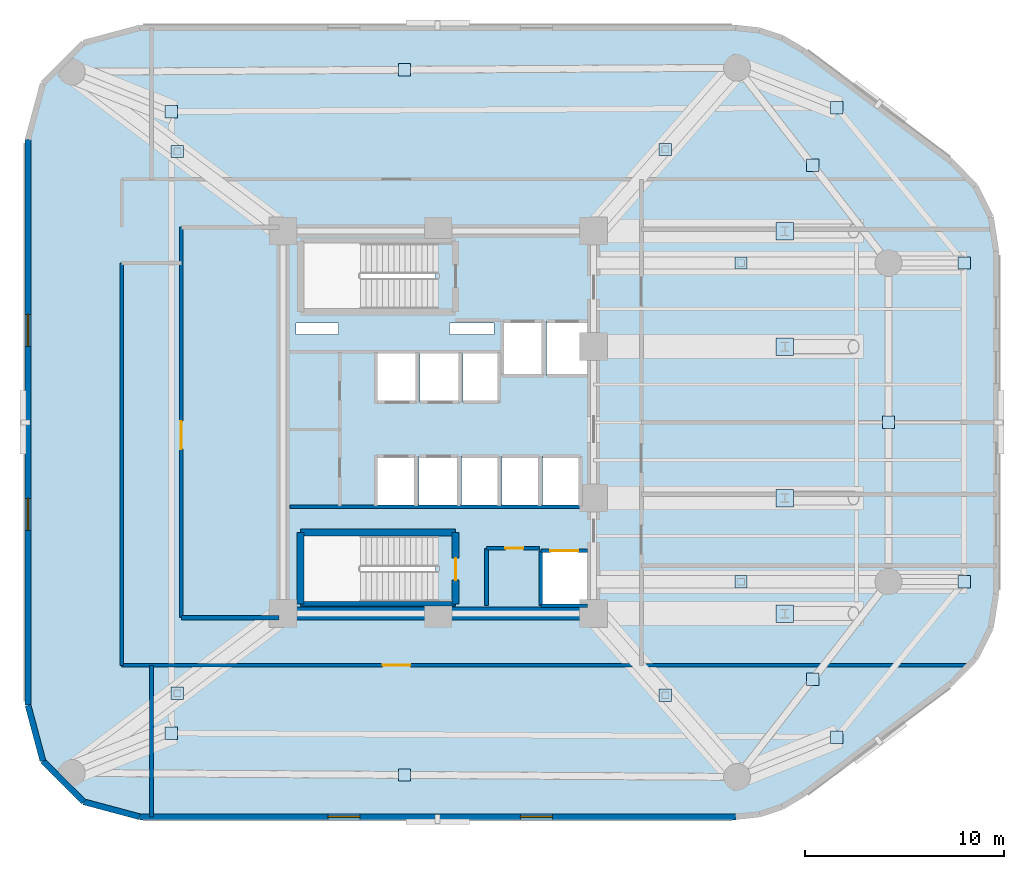
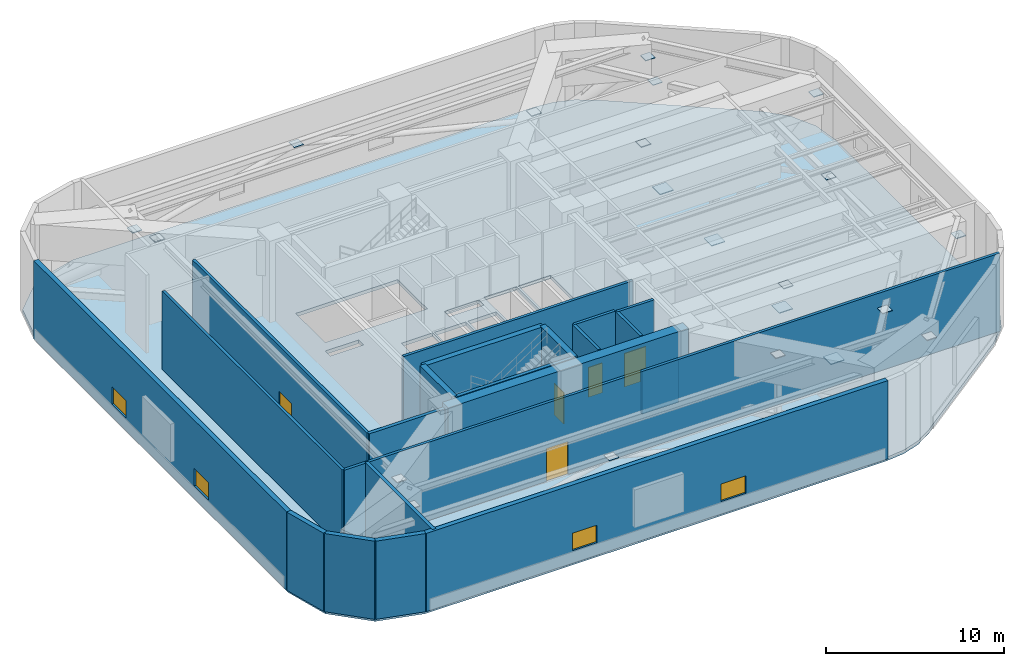
# One storey, part 5 of 10: 21 plates, 21 walls, 5 doors, 4 windows, 1 slab, 9 openings.
"""IFC4 building model written with IfcOpenShell, lengths in metres."""

from ifc_helpers import new_model, si_unit, direction, frame, frame_2d, origin, origin_2d, place, context, subcontext, project, spatial, polyline, rectangle, outline, extrude, material, layer, layer_set, type_object, element, fill, save


model = new_model("IFC4")

# Units and contexts
model_context = context("Model", 3, precision=1e-05, world=origin(), true_north=direction((0.0, 1.0)))
body_context = subcontext(model_context, "Body", "Model", "MODEL_VIEW")
ifc_project = project(units=[si_unit("LENGTHUNIT", "METRE"), si_unit("AREAUNIT", "SQUARE_METRE"), si_unit("VOLUMEUNIT", "CUBIC_METRE"), si_unit("PLANEANGLEUNIT", "RADIAN"), si_unit("MASSUNIT", "GRAM", prefix="KILO")], contexts=[model_context])

# Site, building, storey
site_placement = place(None, origin())
site = spatial("IfcSite", under=ifc_project, at=site_placement, CompositionType="ELEMENT")
building_placement = place(site_placement, origin())
building = spatial("IfcBuilding", under=site, at=building_placement, Name="An Khanh Terracotta Commons", CompositionType="ELEMENT")
storey_placement = place(building_placement, frame((0.0, 0.0, 133.10009765625)))
storey = spatial("IfcBuildingStorey", under=building, at=storey_placement, Name="L35", CompositionType="ELEMENT", Elevation=133.10009765625)

# Plates
ifc_material_1 = material(Name="Steel S460ML", Category="steel")
ifc_layer_1 = layer(ifc_material_1, 0.031982421875, Name="Steel S460ML")
ifc_layer_set_1 = layer_set([ifc_layer_1], Name="Steel S460ML")
plate_type_1 = type_object("IfcPlateType", Name="PLATE-GUSSET-32", PredefinedType="USERDEFINED", material=ifc_layer_set_1)
for number, where, z_axis, x_axis, name in (
    (1, (27.699951171875, 6.300048828125, 4.59375), (0.0, 0.0, 1.0), (1.0, 0.0, 0.0), "L35 Belt-Truss Apex Gusset Plate 1"),
    (2, (48.199951171875, 11.10009765625, 4.59375), (0.0, 0.0, 1.0), (1.0, 0.0, 0.0), "L35 Belt-Truss Apex Gusset Plate 2"),
    (3, (52.0, 24.0, 4.59375), (0.0, 0.0, 1.0), (1.0, 0.0, 0.0), "L35 Belt-Truss Apex Gusset Plate 3"),
    (4, (48.199951171875, 36.89990234375, 4.59375), (0.0, 0.0, 1.0), (1.0, 0.0, 0.0), "L35 Belt-Truss Apex Gusset Plate 4"),
    (5, (27.699951171875, 41.699951171875, 4.59375), (0.0, 0.0, 1.0), (1.0, 0.0, 0.0), "L35 Belt-Truss Apex Gusset Plate 5"),
):
    element("IfcPlate", number, at=place(storey_placement, frame(where, z_axis=z_axis, x_axis=x_axis)), inside=storey, type_object=plate_type_1, Name=name, ObjectType="FLANGE_PLATE", PredefinedType="USERDEFINED", context=body_context, shape_type="SweptSolid", body=[
        extrude(rectangle(XDim=0.6201171875, YDim=0.6201171875, at=origin_2d()), origin(), (0.0, 0.0, 1.0), 0.031982421875),
    ])
ifc_layer_2 = layer(ifc_material_1, 0.0400390625, Name="Steel S460ML")
ifc_layer_set_2 = layer_set([ifc_layer_2], Name="Steel S460ML")
plate_type_2 = type_object("IfcPlateType", Name="PLATE-GUSSET-40", PredefinedType="USERDEFINED", material=ifc_layer_set_2)
for number, where, z_axis, x_axis, name in (
    (6, (16.300048828125, 10.39990234375, 4.58984375), (0.0, 0.0, 1.0), (1.0, 0.0, 0.0), "L35 Outrigger Tie Apex Flange Plate 1"),
    (7, (40.800048828125, 10.300048828125, 4.58984375), (0.0, 0.0, 1.0), (1.0, 0.0, 0.0), "L35 Outrigger Tie Apex Flange Plate 2"),
    (8, (44.60009765625, 16.0, 4.58984375), (0.0, 0.0, 1.0), (1.0, 0.0, 0.0), "L35 Outrigger Tie Apex Flange Plate 3"),
    (9, (44.60009765625, 32.0, 4.58984375), (0.0, 0.0, 1.0), (1.0, 0.0, 0.0), "L35 Outrigger Tie Apex Flange Plate 4"),
    (10, (40.800048828125, 37.699951171875, 4.58984375), (0.0, 0.0, 1.0), (1.0, 0.0, 0.0), "L35 Outrigger Tie Apex Flange Plate 5"),
    (11, (16.300048828125, 37.60009765625, 4.58984375), (0.0, 0.0, 1.0), (1.0, 0.0, 0.0), "L35 Outrigger Tie Apex Flange Plate 6"),
):
    element("IfcPlate", number, at=place(storey_placement, frame(where, z_axis=z_axis, x_axis=x_axis)), inside=storey, type_object=plate_type_2, Name=name, ObjectType="FLANGE_PLATE", PredefinedType="USERDEFINED", context=body_context, shape_type="SweptSolid", body=[
        extrude(rectangle(XDim=0.6201171875, YDim=0.6201171875, at=origin_2d()), origin(), (0.0, 0.0, 1.0), 0.0400390625),
    ])
ifc_layer_3 = layer(ifc_material_1, 0.050048828125, Name="Steel S460ML")
ifc_layer_set_3 = layer_set([ifc_layer_3], Name="Steel S460ML")
plate_type_3 = type_object("IfcPlateType", Name="PLATE-GUSSET-50", PredefinedType="USERDEFINED", material=ifc_layer_set_3)
for number, where, z_axis, x_axis, name in (
    (12, (16.0, 8.39990234375, 4.0849609375), (0.0, 0.0, 1.0), (1.0, 0.0, 0.0), "L35 Outrigger Kink Node End-Cap Plate 1"),
    (13, (49.39990234375, 8.199951171875, 4.0849609375), (0.0, 0.0, 1.0), (1.0, 0.0, 0.0), "L35 Outrigger Kink Node End-Cap Plate 2"),
    (14, (55.800048828125, 16.0, 4.0849609375), (0.0, 0.0, 1.0), (1.0, 0.0, 0.0), "L35 Outrigger Kink Node End-Cap Plate 3"),
    (15, (55.800048828125, 32.0, 4.0849609375), (0.0, 0.0, 1.0), (1.0, 0.0, 0.0), "L35 Outrigger Kink Node End-Cap Plate 4"),
    (16, (49.39990234375, 39.800048828125, 4.0849609375), (0.0, 0.0, 1.0), (1.0, 0.0, 0.0), "L35 Outrigger Kink Node End-Cap Plate 5"),
    (17, (16.0, 39.60009765625, 4.0849609375), (0.0, 0.0, 1.0), (1.0, 0.0, 0.0), "L35 Outrigger Kink Node End-Cap Plate 6"),
):
    element("IfcPlate", number, at=place(storey_placement, frame(where, z_axis=z_axis, x_axis=x_axis)), inside=storey, type_object=plate_type_3, Name=name, ObjectType="FLANGE_PLATE", PredefinedType="USERDEFINED", context=body_context, shape_type="SweptSolid", body=[
        extrude(rectangle(XDim=0.6201171875, YDim=0.6201171875, at=origin_2d()), origin(), (0.0, 0.0, 1.0), 0.050048828125),
    ])
for number, where, z_axis, x_axis, name in (
    (18, (46.800048828125, 14.39990234375, -0.294921875), (0.0, 0.0, 1.0), (1.0, 0.0, 0.0), "L35 Interior Column Raking Strut Base End-Cap Plate 1"),
    (19, (46.800048828125, 20.199951171875, -0.294921875), (0.0, 0.0, 1.0), (1.0, 0.0, 0.0), "L35 Interior Column Raking Strut Base End-Cap Plate 2"),
    (20, (46.800048828125, 27.800048828125, -0.294921875), (0.0, 0.0, 1.0), (1.0, 0.0, 0.0), "L35 Interior Column Raking Strut Base End-Cap Plate 3"),
    (21, (46.800048828125, 33.60009765625, -0.294921875), (0.0, 0.0, 1.0), (1.0, 0.0, 0.0), "L35 Interior Column Raking Strut Base End-Cap Plate 4"),
):
    element("IfcPlate", number, at=place(storey_placement, frame(where, z_axis=z_axis, x_axis=x_axis)), inside=storey, type_object=plate_type_3, Name=name, ObjectType="FLANGE_PLATE", PredefinedType="USERDEFINED", context=body_context, shape_type="SweptSolid", body=[
        extrude(rectangle(XDim=0.8798828125, YDim=0.8798828125, at=origin_2d()), origin(), (0.0, 0.0, 1.0), 0.050048828125),
    ])

# Slab
ifc_material_2 = material(Name="Concrete C40/50", Category="concrete")
ifc_layer_4 = layer(ifc_material_2, 0.260009765625, Name="Concrete C40/50")
ifc_layer_set_4 = layer_set([ifc_layer_4], Name="Concrete C40/50")
slab_type = type_object("IfcSlabType", Name="SLAB-REF-260", PredefinedType="FLOOR", material=ifc_layer_set_4)
slab_placement = place(storey_placement, frame((0.0, 0.0, -0.239990234375)))
element("IfcSlab", 22, at=slab_placement, inside=storey, type_object=slab_type, Name="L35 Structural Floor Slab", PredefinedType="FLOOR", context=body_context, shape_type="SweptSolid", body=[
    extrude(outline(polyline([(8.800048828125, 9.800048828125), (9.550048828125, 7.0), (11.60009765625, 4.949951171875), (14.39990234375, 4.199951171875), (44.3330078125, 4.199951171875), (45.52490234375, 4.327880859375), (46.6630859375, 4.70703125), (47.693115234375, 5.320068359375), (55.159912109375, 10.919921875), (56.364013671875, 12.154052734375), (57.135009765625, 13.696044921875), (57.39990234375, 15.39990234375), (57.39990234375, 32.60009765625), (57.135009765625, 34.303955078125), (56.364013671875, 35.845947265625), (55.159912109375, 37.080078125), (47.693115234375, 42.679931640625), (46.6630859375, 43.29296875), (45.52490234375, 43.672119140625), (44.3330078125, 43.800048828125), (14.39990234375, 43.800048828125), (11.60009765625, 43.050048828125), (9.550048828125, 41.0), (8.800048828125, 38.199951171875), (8.800048828125, 9.800048828125)]), holes=[polyline([(22.64990234375, 29.699951171875), (29.27001953125, 29.699951171875), (29.27001953125, 33.0), (22.64990234375, 33.0), (22.64990234375, 29.699951171875)]), polyline([(22.64990234375, 15.0), (29.27001953125, 15.0), (29.27001953125, 18.300048828125), (22.64990234375, 18.300048828125), (22.64990234375, 15.0)]), polyline([(32.60009765625, 26.35009765625), (34.679931640625, 26.35009765625), (34.679931640625, 29.080078125), (32.60009765625, 29.080078125), (32.60009765625, 26.35009765625)]), polyline([(34.820068359375, 26.35009765625), (36.89990234375, 26.35009765625), (36.89990234375, 29.080078125), (34.820068359375, 29.080078125), (34.820068359375, 26.35009765625)]), polyline([(34.550048828125, 14.800048828125), (36.89990234375, 14.800048828125), (36.89990234375, 17.550048828125), (34.550048828125, 17.550048828125), (34.550048828125, 14.800048828125)]), polyline([(26.320068359375, 25.0), (28.340087890625, 25.0), (28.340087890625, 27.5), (26.320068359375, 27.5), (26.320068359375, 25.0)]), polyline([(28.47998046875, 25.0), (30.5, 25.0), (30.5, 27.5), (28.47998046875, 27.5), (28.47998046875, 25.0)]), polyline([(26.280029296875, 19.800048828125), (28.280029296875, 19.800048828125), (28.280029296875, 22.300048828125), (26.280029296875, 22.300048828125), (26.280029296875, 19.800048828125)]), polyline([(28.419921875, 19.800048828125), (30.419921875, 19.800048828125), (30.419921875, 22.300048828125), (28.419921875, 22.300048828125), (28.419921875, 19.800048828125)]), polyline([(30.639892578125, 25.0), (32.4599609375, 25.0), (32.4599609375, 27.5), (30.639892578125, 27.5), (30.639892578125, 25.0)]), polyline([(30.56005859375, 19.800048828125), (32.4599609375, 19.800048828125), (32.4599609375, 22.300048828125), (30.56005859375, 22.300048828125), (30.56005859375, 19.800048828125)]), polyline([(32.60009765625, 19.800048828125), (34.5, 19.800048828125), (34.5, 22.300048828125), (32.60009765625, 22.300048828125), (32.60009765625, 19.800048828125)]), polyline([(34.639892578125, 19.800048828125), (36.5400390625, 19.800048828125), (36.5400390625, 22.300048828125), (34.639892578125, 22.300048828125), (34.639892578125, 19.800048828125)]), polyline([(22.25, 28.419921875), (24.39990234375, 28.419921875), (24.39990234375, 28.97998046875), (22.25, 28.97998046875), (22.25, 28.419921875)]), polyline([(29.949951171875, 28.419921875), (32.199951171875, 28.419921875), (32.199951171875, 28.97998046875), (29.949951171875, 28.97998046875), (29.949951171875, 28.419921875)])]), origin(), (0.0, 0.0, 1.0), 0.239990234375),
])

# Walls
ifc_material_3 = material(Name="Concrete C60/75", Category="concrete")
ifc_layer_5 = layer(ifc_material_3, 0.64990234375, Name="Concrete C60/75")
ifc_layer_set_5 = layer_set([ifc_layer_5], Name="Concrete C60/75")
wall_type_1 = type_object("IfcWallType", Name="WALL-CORE-650", PredefinedType="SHEAR", material=ifc_layer_set_5)
wall_1_placement = place(storey_placement, frame((37.199951171875, 14.39990234375, 0.0), z_axis=(0.0, 0.0, 1.0), x_axis=(-1.0, 0.0, 0.0)))
element("IfcWall", 23, at=wall_1_placement, inside=storey, type_object=wall_type_1, Name="L35 Core Wall CWALL-L35-S", PredefinedType="SHEAR", context=body_context, shape_type="SweptSolid", body=[
    extrude(rectangle(XDim=15.599853515625, YDim=0.64990234375, at=frame_2d((7.7998046875, 0.0))), origin(), (0.0, 0.0, 1.0), 5.35986328125),
])
ifc_material_4 = material(Name="Fire-Rated Gypsum Board on Steel Stud", Category="steel")
ifc_layer_6 = layer(ifc_material_4, 0.179931640625, Name="Fire-Rated Gypsum Board on Steel Stud")
ifc_layer_set_6 = layer_set([ifc_layer_6], Name="Fire-Rated Gypsum Board on Steel Stud")
wall_type_2 = type_object("IfcWallType", Name="WALL-CORR-180", PredefinedType="PARTITIONING", material=ifc_layer_set_6)
wall_2_placement = place(storey_placement, frame((21.949951171875, 19.760009765625, 0.0), z_axis=(0.0, 0.0, 1.0), x_axis=(1.0, 0.0, 0.0)))
element("IfcWall", 24, at=wall_2_placement, inside=storey, type_object=wall_type_2, Name="L35 Core Wall SVW-L35-N", PredefinedType="PARTITIONING", context=body_context, shape_type="SweptSolid", body=[
    extrude(rectangle(XDim=14.8701171875, YDim=0.179931640625, at=frame_2d((7.43505859375, 0.0))), origin(), (0.0, 0.0, 1.0), 5.35986328125),
])

# Wall, opening, door
wall_3_placement = place(storey_placement, frame((31.820068359375, 17.679931640625, 0.0), z_axis=(0.0, 0.0, 1.0), x_axis=(1.0, 0.0, 0.0)))
wall_3 = element("IfcWall", 25, at=wall_3_placement, inside=storey, type_object=wall_type_2, Name="L35 Core Wall SSVCW-L35-N", PredefinedType="PARTITIONING", context=body_context, shape_type="SweptSolid", body=[
    extrude(rectangle(XDim=2.659912109375, YDim=0.179931640625, at=frame_2d((1.330078125, 0.0))), origin(), (0.0, 0.0, 1.0), 5.35986328125),
])
opening_1_placement = place(wall_3_placement, frame((0.949951171875, 0.0, 0.0)))
opening_1 = element("IfcOpeningElement", 26, at=opening_1_placement, cuts=wall_3, Name="Opening D-SV", PredefinedType="OPENING", context=body_context, shape_type="SweptSolid", body=[
    extrude(rectangle(XDim=0.89990234375, YDim=2.050048828125, at=frame_2d((0.449951171875, 1.02490234375))), frame((0.0, 0.099853515625, 0.0), z_axis=(0.0, -1.0, 0.0), x_axis=(1.0, 0.0, 0.0)), (0.0, 0.0, 1.0), 0.199951171875),
])
ifc_material_5 = material(Name="Fire-Rated Powder-Coated Steel Door", Category="steel")
door_type_1 = type_object("IfcDoorType", Name="DOOR-SERV-900", OperationType="NOTDEFINED", PredefinedType="DOOR", material=ifc_material_5)
door_1_placement = place(opening_1_placement, origin())
door_1 = element("IfcDoor", 27, at=door_1_placement, inside=storey, type_object=door_type_1, Name="L35 Mechanical BMS Switchroom Door", OperationType="SINGLE_SWING_RIGHT", OverallHeight=2.050048828125, OverallWidth=0.89990234375, PredefinedType="DOOR", context=body_context, shape_type="SweptSolid", body=[
    extrude(rectangle(XDim=0.89990234375, YDim=2.050048828125, at=frame_2d((0.449951171875, 1.02490234375))), frame((0.0, 0.02490234375, 0.0), z_axis=(0.0, -1.0, 0.0), x_axis=(1.0, 0.0, 0.0)), (0.0, 0.0, 1.0), 0.050048828125),
])
fill(opening_1, door_1)

# Wall
wall_4_placement = place(storey_placement, frame((31.820068359375, 14.800048828125, 0.0), z_axis=(0.0, 0.0, 1.0), x_axis=(0.0, 1.0, 0.0)))
element("IfcWall", 28, at=wall_4_placement, inside=storey, type_object=wall_type_2, Name="L35 Core Wall SSVCW-L35-W", PredefinedType="PARTITIONING", context=body_context, shape_type="SweptSolid", body=[
    extrude(rectangle(XDim=2.8798828125, YDim=0.179931640625, at=frame_2d((1.43994140625, 0.0))), origin(), (0.0, 0.0, 1.0), 5.35986328125),
])

# Wall, opening, door
wall_5_placement = place(storey_placement, frame((34.550048828125, 17.550048828125, 0.0), z_axis=(0.0, 0.0, 1.0), x_axis=(1.0, 0.0, 0.0)))
wall_5 = element("IfcWall", 29, at=wall_5_placement, inside=storey, type_object=wall_type_2, Name="L35 Core Wall LSH-L35-SVL-01-N", PredefinedType="PARTITIONING", context=body_context, shape_type="SweptSolid", body=[
    extrude(rectangle(XDim=2.349853515625, YDim=0.179931640625, at=frame_2d((1.1748046875, 0.0))), origin(), (0.0, 0.0, 1.0), 5.35986328125),
])
opening_2_placement = place(wall_5_placement, frame((0.47509765625, 0.0, 0.0)))
opening_2 = element("IfcOpeningElement", 30, at=opening_2_placement, cuts=wall_5, Name="Opening LD-SVL-01-L35", PredefinedType="OPENING", context=body_context, shape_type="SweptSolid", body=[
    extrude(rectangle(XDim=1.39990234375, YDim=2.300048828125, at=frame_2d((0.699951171875, 1.14990234375))), frame((0.0, 0.099853515625, 0.0), z_axis=(0.0, -1.0, 0.0), x_axis=(1.0, 0.0, 0.0)), (0.0, 0.0, 1.0), 0.199951171875),
])
ifc_material_6 = material(Name="Heavy-Duty Stainless Steel Goods Landing Door", Category="steel")
door_type_2 = type_object("IfcDoorType", Name="DOOR-LD-SVL-1400", OperationType="NOTDEFINED", PredefinedType="DOOR", material=ifc_material_6)
door_2_placement = place(opening_2_placement, origin())
door_2 = element("IfcDoor", 31, at=door_2_placement, inside=storey, type_object=door_type_2, Name="L35 Lift SVL-01 Sliding Landing Door", OperationType="DOUBLE_DOOR_SLIDING", OverallHeight=2.300048828125, OverallWidth=1.39990234375, PredefinedType="DOOR", context=body_context, shape_type="SweptSolid", body=[
    extrude(rectangle(XDim=1.39990234375, YDim=2.300048828125, at=frame_2d((0.699951171875, 1.14990234375))), frame((0.0, 0.02490234375, 0.0), z_axis=(0.0, -1.0, 0.0), x_axis=(1.0, 0.0, 0.0)), (0.0, 0.0, 1.0), 0.050048828125),
])
fill(opening_2, door_2)

# Walls
wall_6_placement = place(storey_placement, frame((36.89990234375, 14.800048828125, 0.0), z_axis=(0.0, 0.0, 1.0), x_axis=(-1.0, 0.0, 0.0)))
element("IfcWall", 32, at=wall_6_placement, inside=storey, type_object=wall_type_2, Name="L35 Core Wall LSH-L35-SVL-01-S", PredefinedType="PARTITIONING", context=body_context, shape_type="SweptSolid", body=[
    extrude(rectangle(XDim=2.349853515625, YDim=0.179931640625, at=frame_2d((1.1748046875, 0.0))), origin(), (0.0, 0.0, 1.0), 2.94189453125),
])
wall_7_placement = place(storey_placement, frame((34.550048828125, 17.550048828125, 0.0), z_axis=(0.0, 0.0, 1.0), x_axis=(0.0, -1.0, 0.0)))
element("IfcWall", 33, at=wall_7_placement, inside=storey, type_object=wall_type_2, Name="L35 Core Wall LSH-L35-SVL-01-W", PredefinedType="PARTITIONING", context=body_context, shape_type="SweptSolid", body=[
    extrude(rectangle(XDim=2.75, YDim=0.179931640625, at=frame_2d((1.375, 0.0))), origin(), (0.0, 0.0, 1.0), 5.35986328125),
])

# Wall, opening, door
wall_8_placement = place(storey_placement, frame((13.5, 11.800048828125, 0.0), z_axis=(0.0, 0.0, 1.0), x_axis=(1.0, 0.0, 0.0)))
wall_8 = element("IfcWall", 34, at=wall_8_placement, inside=storey, type_object=wall_type_2, Name="L35 Interior Partition IW-L35-E001", PredefinedType="PARTITIONING", context=body_context, shape_type="SweptSolid", body=[
    extrude(rectangle(XDim=42.51904296875, YDim=0.179931640625, at=frame_2d((21.259521484375, 0.0))), origin(), (0.0, 0.0, 1.0), 5.35986328125),
])
opening_3_placement = place(wall_8_placement, frame((13.10009765625, 0.0, 0.0)))
opening_3 = element("IfcOpeningElement", 35, at=opening_3_placement, cuts=wall_8, Name="Opening D-PL", PredefinedType="OPENING", context=body_context, shape_type="SweptSolid", body=[
    extrude(rectangle(XDim=1.39990234375, YDim=2.25, at=frame_2d((0.699951171875, 1.125))), frame((0.0, 0.099853515625, 0.0), z_axis=(0.0, -1.0, 0.0), x_axis=(1.0, 0.0, 0.0)), (0.0, 0.0, 1.0), 0.199951171875),
])
ifc_material_7 = material(Name="Heavy-Duty Acoustic Steel Double Plant Door", Category="steel")
door_type_3 = type_object("IfcDoorType", Name="DOOR-PLANT-1400", OperationType="NOTDEFINED", PredefinedType="DOOR", material=ifc_material_7)
door_3_placement = place(opening_3_placement, origin())
door_3 = element("IfcDoor", 36, at=door_3_placement, inside=storey, type_object=door_type_3, Name="L35 REFS South Pressurised Refuge Area Door", OperationType="DOUBLE_DOOR_SINGLE_SWING", OverallHeight=2.25, OverallWidth=1.39990234375, PredefinedType="DOOR", context=body_context, shape_type="SweptSolid", body=[
    extrude(rectangle(XDim=1.39990234375, YDim=2.25, at=frame_2d((0.699951171875, 1.125))), frame((0.0, 0.02490234375, 0.0), z_axis=(0.0, -1.0, 0.0), x_axis=(1.0, 0.0, 0.0)), (0.0, 0.0, 1.0), 0.050048828125),
])
fill(opening_3, door_3)

# Wall
wall_9_placement = place(storey_placement, frame((13.5, 11.800048828125, 0.0), z_axis=(0.0, 0.0, 1.0), x_axis=(0.0, 1.0, 0.0)))
element("IfcWall", 37, at=wall_9_placement, inside=storey, type_object=wall_type_2, Name="L35 Interior Partition IW-L35-E010", PredefinedType="PARTITIONING", context=body_context, shape_type="SweptSolid", body=[
    extrude(rectangle(XDim=20.199951171875, YDim=0.179931640625, at=frame_2d((10.10009765625, 0.0))), origin(), (0.0, 0.0, 1.0), 5.35986328125),
])

# Wall, opening, door
wall_10_placement = place(storey_placement, frame((16.5, 14.199951171875, 0.0), z_axis=(0.0, 0.0, 1.0), x_axis=(0.0, 1.0, 0.0)))
wall_10 = element("IfcWall", 38, at=wall_10_placement, inside=storey, type_object=wall_type_2, Name="L35 Interior Partition IW-L35-E014", PredefinedType="PARTITIONING", context=body_context, shape_type="SweptSolid", body=[
    extrude(rectangle(XDim=19.60009765625, YDim=0.179931640625, at=frame_2d((9.800048828125, 0.0))), origin(), (0.0, 0.0, 1.0), 5.35986328125),
])
opening_4_placement = place(wall_10_placement, frame((8.4599609375, 0.0, 0.0)))
opening_4 = element("IfcOpeningElement", 39, at=opening_4_placement, cuts=wall_10, Name="Opening D-PL", PredefinedType="OPENING", context=body_context, shape_type="SweptSolid", body=[
    extrude(rectangle(XDim=1.39990234375, YDim=2.25, at=frame_2d((0.699951171875, 1.125))), frame((0.0, 0.099853515625, 0.0), z_axis=(0.0, -1.0, 0.0), x_axis=(1.0, 0.0, 0.0)), (0.0, 0.0, 1.0), 0.199951171875),
])
door_4_placement = place(opening_4_placement, origin())
door_4 = element("IfcDoor", 40, at=door_4_placement, inside=storey, type_object=door_type_3, Name="L35 TNK Fire Water Break Tank Plant Room Door", OperationType="DOUBLE_DOOR_SINGLE_SWING", OverallHeight=2.25, OverallWidth=1.39990234375, PredefinedType="DOOR", context=body_context, shape_type="SweptSolid", body=[
    extrude(rectangle(XDim=1.39990234375, YDim=2.25, at=frame_2d((0.699951171875, 1.125))), frame((0.0, 0.02490234375, 0.0), z_axis=(0.0, -1.0, 0.0), x_axis=(1.0, 0.0, 0.0)), (0.0, 0.0, 1.0), 0.050048828125),
])
fill(opening_4, door_4)

# Walls
ifc_material_8 = material(Name="Precast concrete C40/50", Category="concrete")
ifc_layer_7 = layer(ifc_material_8, 0.300048828125, Name="Precast concrete C40/50")
ifc_layer_set_7 = layer_set([ifc_layer_7], Name="Precast concrete C40/50")
wall_type_3 = type_object("IfcWallType", Name="WALL-EXT-300", PredefinedType="SOLIDWALL", material=ifc_layer_set_7)
wall_11_placement = place(storey_placement, frame((8.800048828125, 9.800048828125, 0.0), z_axis=(0.0, 0.0, 1.0), x_axis=(0.258731875344, -0.96594917914, 0.0)))
element("IfcWall", 41, at=wall_11_placement, inside=storey, type_object=wall_type_3, Name="L35 Insulated Terracotta Exterior Wall 1", PredefinedType="SOLIDWALL", context=body_context, shape_type="SweptSolid", body=[
    extrude(rectangle(XDim=2.898681640625, YDim=0.300048828125, at=frame_2d((1.44921875, 0.0))), origin(), (0.0, 0.0, 1.0), 5.35986328125),
])
wall_12_placement = place(storey_placement, frame((9.550048828125, 7.0, 0.0), z_axis=(0.0, 0.0, 1.0), x_axis=(0.707106781187, -0.707106781187, 0.0)))
element("IfcWall", 42, at=wall_12_placement, inside=storey, type_object=wall_type_3, Name="L35 Insulated Terracotta Exterior Wall 2", PredefinedType="SOLIDWALL", context=body_context, shape_type="SweptSolid", body=[
    extrude(rectangle(XDim=2.899169921875, YDim=0.300048828125, at=frame_2d((1.44970703125, 0.0))), origin(), (0.0, 0.0, 1.0), 5.35986328125),
])
wall_13_placement = place(storey_placement, frame((11.60009765625, 4.949951171875, 0.0), z_axis=(0.0, 0.0, 1.0), x_axis=(0.965943540406, -0.258752926066, 0.0)))
element("IfcWall", 43, at=wall_13_placement, inside=storey, type_object=wall_type_3, Name="L35 Insulated Terracotta Exterior Wall 3", PredefinedType="SOLIDWALL", context=body_context, shape_type="SweptSolid", body=[
    extrude(rectangle(XDim=2.8984375, YDim=0.300048828125, at=frame_2d((1.44921875, 0.0))), origin(), (0.0, 0.0, 1.0), 5.35986328125),
])

# Wall, openings, windows
wall_14_placement = place(storey_placement, frame((14.39990234375, 4.199951171875, 0.0), z_axis=(0.0, 0.0, 1.0), x_axis=(1.0, 0.0, 0.0)))
wall_14 = element("IfcWall", 44, at=wall_14_placement, inside=storey, type_object=wall_type_3, Name="L35 Insulated Terracotta Exterior Wall 4", PredefinedType="SOLIDWALL", context=body_context, shape_type="SweptSolid", body=[
    extrude(rectangle(XDim=29.93310546875, YDim=0.300048828125, at=frame_2d((14.966552734375, 0.0))), origin(), (0.0, 0.0, 1.0), 5.35986328125),
])
opening_5_placement = place(wall_14_placement, frame((9.4609375, 0.0, 0.85009765625)))
opening_5 = element("IfcOpeningElement", 45, at=opening_5_placement, cuts=wall_14, Name="Opening W-12", PredefinedType="OPENING", context=body_context, shape_type="SweptSolid", body=[
    extrude(rectangle(XDim=1.60009765625, YDim=1.199951171875, at=frame_2d((0.800048828125, 0.60009765625))), frame((0.0, 0.159912109375, 0.0), z_axis=(0.0, -1.0, 0.0), x_axis=(1.0, 0.0, 0.0)), (0.0, 0.0, 1.0), 0.320068359375),
])
opening_6_placement = place(wall_14_placement, frame((19.1220703125, 0.0, 0.85009765625)))
opening_6 = element("IfcOpeningElement", 46, at=opening_6_placement, cuts=wall_14, Name="Opening W-12", PredefinedType="OPENING", context=body_context, shape_type="SweptSolid", body=[
    extrude(rectangle(XDim=1.60009765625, YDim=1.199951171875, at=frame_2d((0.800048828125, 0.60009765625))), frame((0.0, 0.159912109375, 0.0), z_axis=(0.0, -1.0, 0.0), x_axis=(1.0, 0.0, 0.0)), (0.0, 0.0, 1.0), 0.320068359375),
])
ifc_material_9 = material(Name="Thermally Broken Aluminium and Low-E Glass", Category="aluminium")
window_type = type_object("IfcWindowType", Name="WIN-REF-1600x1200", PartitioningType="DOUBLE_PANEL_VERTICAL", PredefinedType="WINDOW", material=ifc_material_9)
window_1_placement = place(opening_5_placement, origin())
window_1 = element("IfcWindow", 47, at=window_1_placement, inside=storey, type_object=window_type, Name="L35 Operable Casement Window 4.1", OverallHeight=1.199951171875, OverallWidth=1.60009765625, PartitioningType="DOUBLE_PANEL_VERTICAL", PredefinedType="WINDOW", context=body_context, shape_type="SweptSolid", body=[
    extrude(rectangle(XDim=1.60009765625, YDim=1.199951171875, at=frame_2d((0.800048828125, 0.60009765625))), frame((0.0, 0.030029296875, 0.0), z_axis=(0.0, -1.0, 0.0), x_axis=(1.0, 0.0, 0.0)), (0.0, 0.0, 1.0), 0.06005859375),
])
fill(opening_5, window_1)
window_2_placement = place(opening_6_placement, origin())
window_2 = element("IfcWindow", 48, at=window_2_placement, inside=storey, type_object=window_type, Name="L35 Operable Casement Window 4.2", OverallHeight=1.199951171875, OverallWidth=1.60009765625, PartitioningType="DOUBLE_PANEL_VERTICAL", PredefinedType="WINDOW", context=body_context, shape_type="SweptSolid", body=[
    extrude(rectangle(XDim=1.60009765625, YDim=1.199951171875, at=frame_2d((0.800048828125, 0.60009765625))), frame((0.0, 0.030029296875, 0.0), z_axis=(0.0, -1.0, 0.0), x_axis=(1.0, 0.0, 0.0)), (0.0, 0.0, 1.0), 0.06005859375),
])
fill(opening_6, window_2)

wall_15_placement = place(storey_placement, frame((8.800048828125, 38.199951171875, 0.0), z_axis=(0.0, 0.0, 1.0), x_axis=(0.0, -1.0, 0.0)))
wall_15 = element("IfcWall", 49, at=wall_15_placement, inside=storey, type_object=wall_type_3, Name="L35 Insulated Terracotta Exterior Wall 24", PredefinedType="SOLIDWALL", context=body_context, shape_type="SweptSolid", body=[
    extrude(rectangle(XDim=28.39990234375, YDim=0.300048828125, at=frame_2d((14.199951171875, 0.0))), origin(), (0.0, 0.0, 1.0), 5.35986328125),
])
opening_7_placement = place(wall_15_placement, frame((8.782958984375, 0.0, 0.85009765625)))
opening_7 = element("IfcOpeningElement", 50, at=opening_7_placement, cuts=wall_15, Name="Opening W-12", PredefinedType="OPENING", context=body_context, shape_type="SweptSolid", body=[
    extrude(rectangle(XDim=1.60009765625, YDim=1.199951171875, at=frame_2d((0.800048828125, 0.60009765625))), frame((0.0, 0.159912109375, 0.0), z_axis=(0.0, -1.0, 0.0), x_axis=(1.0, 0.0, 0.0)), (0.0, 0.0, 1.0), 0.320068359375),
])
opening_8_placement = place(wall_15_placement, frame((18.01708984375, 0.0, 0.85009765625)))
opening_8 = element("IfcOpeningElement", 51, at=opening_8_placement, cuts=wall_15, Name="Opening W-12", PredefinedType="OPENING", context=body_context, shape_type="SweptSolid", body=[
    extrude(rectangle(XDim=1.60009765625, YDim=1.199951171875, at=frame_2d((0.800048828125, 0.60009765625))), frame((0.0, 0.159912109375, 0.0), z_axis=(0.0, -1.0, 0.0), x_axis=(1.0, 0.0, 0.0)), (0.0, 0.0, 1.0), 0.320068359375),
])
window_3_placement = place(opening_7_placement, origin())
window_3 = element("IfcWindow", 52, at=window_3_placement, inside=storey, type_object=window_type, Name="L35 Operable Casement Window 24.1", OverallHeight=1.199951171875, OverallWidth=1.60009765625, PartitioningType="DOUBLE_PANEL_VERTICAL", PredefinedType="WINDOW", context=body_context, shape_type="SweptSolid", body=[
    extrude(rectangle(XDim=1.60009765625, YDim=1.199951171875, at=frame_2d((0.800048828125, 0.60009765625))), frame((0.0, 0.030029296875, 0.0), z_axis=(0.0, -1.0, 0.0), x_axis=(1.0, 0.0, 0.0)), (0.0, 0.0, 1.0), 0.06005859375),
])
fill(opening_7, window_3)
window_4_placement = place(opening_8_placement, origin())
window_4 = element("IfcWindow", 53, at=window_4_placement, inside=storey, type_object=window_type, Name="L35 Operable Casement Window 24.2", OverallHeight=1.199951171875, OverallWidth=1.60009765625, PartitioningType="DOUBLE_PANEL_VERTICAL", PredefinedType="WINDOW", context=body_context, shape_type="SweptSolid", body=[
    extrude(rectangle(XDim=1.60009765625, YDim=1.199951171875, at=frame_2d((0.800048828125, 0.60009765625))), frame((0.0, 0.030029296875, 0.0), z_axis=(0.0, -1.0, 0.0), x_axis=(1.0, 0.0, 0.0)), (0.0, 0.0, 1.0), 0.06005859375),
])
fill(opening_8, window_4)

# Walls
ifc_material_10 = material(Name="Acoustic Double-Stud Gypsum and Mineral Wool")
ifc_layer_8 = layer(ifc_material_10, 0.219970703125, Name="Acoustic Double-Stud Gypsum and Mineral Wool")
ifc_layer_set_8 = layer_set([ifc_layer_8], Name="Acoustic Double-Stud Gypsum and Mineral Wool")
wall_type_4 = type_object("IfcWallType", Name="WALL-PARTY-220", PredefinedType="PARTITIONING", material=ifc_layer_set_8)
wall_16_placement = place(storey_placement, frame((22.47998046875, 14.889892578125, 0.0), z_axis=(0.0, 0.0, 1.0), x_axis=(1.0, 0.0, 0.0)))
element("IfcWall", 54, at=wall_16_placement, inside=storey, type_object=wall_type_4, Name="L35 Core Wall STW-L35-S-S", PredefinedType="PARTITIONING", context=body_context, shape_type="SweptSolid", body=[
    extrude(rectangle(XDim=7.7900390625, YDim=0.219970703125, at=frame_2d((3.89501953125, 0.0))), origin(), (0.0, 0.0, 1.0), 5.35986328125),
])
wall_17_placement = place(storey_placement, frame((16.5, 14.199951171875, 0.0), z_axis=(0.0, 0.0, 1.0), x_axis=(1.0, 0.0, 0.0)))
element("IfcWall", 55, at=wall_17_placement, inside=storey, type_object=wall_type_4, Name="L35 Interior Partition IW-L35-E002", PredefinedType="PARTITIONING", context=body_context, shape_type="SweptSolid", body=[
    extrude(rectangle(XDim=4.89990234375, YDim=0.219970703125, at=frame_2d((2.449951171875, 0.0))), origin(), (0.0, 0.0, 1.0), 5.35986328125),
])
wall_18_placement = place(storey_placement, frame((15.0, 4.199951171875, 0.0), z_axis=(0.0, 0.0, 1.0), x_axis=(0.0, 1.0, 0.0)))
element("IfcWall", 56, at=wall_18_placement, inside=storey, type_object=wall_type_4, Name="L35 Interior Partition IW-L35-E012", PredefinedType="PARTITIONING", context=body_context, shape_type="SweptSolid", body=[
    extrude(rectangle(XDim=7.60009765625, YDim=0.219970703125, at=frame_2d((3.800048828125, 0.0))), origin(), (0.0, 0.0, 1.0), 5.35986328125),
])
ifc_material_11 = material(Name="Concrete C50/60", Category="concrete")
ifc_layer_9 = layer(ifc_material_11, 0.35009765625, Name="Concrete C50/60")
ifc_layer_set_9 = layer_set([ifc_layer_9], Name="Concrete C50/60")
wall_type_5 = type_object("IfcWallType", Name="WALL-SHAFT-350", PredefinedType="SOLIDWALL", material=ifc_layer_set_9)
wall_19_placement = place(storey_placement, frame((22.47998046875, 18.469970703125, 0.0), z_axis=(0.0, 0.0, 1.0), x_axis=(1.0, 0.0, 0.0)))
element("IfcWall", 57, at=wall_19_placement, inside=storey, type_object=wall_type_5, Name="L35 Core Wall STW-L35-S-N", PredefinedType="SOLIDWALL", context=body_context, shape_type="SweptSolid", body=[
    extrude(rectangle(XDim=7.7900390625, YDim=0.35009765625, at=frame_2d((3.89501953125, 0.0))), origin(), (0.0, 0.0, 1.0), 5.35986328125),
])
wall_20_placement = place(storey_placement, frame((22.47998046875, 14.889892578125, 0.0), z_axis=(0.0, 0.0, 1.0), x_axis=(0.0, 1.0, 0.0)))
element("IfcWall", 58, at=wall_20_placement, inside=storey, type_object=wall_type_5, Name="L35 Core Wall STW-L35-S-W", PredefinedType="SOLIDWALL", context=body_context, shape_type="SweptSolid", body=[
    extrude(rectangle(XDim=3.580078125, YDim=0.35009765625, at=frame_2d((1.7900390625, 0.0))), origin(), (0.0, 0.0, 1.0), 5.35986328125),
])

# Wall, opening, door
wall_21_placement = place(storey_placement, frame((30.27001953125, 14.889892578125, 0.0), z_axis=(0.0, 0.0, 1.0), x_axis=(0.0, 1.0, 0.0)))
wall_21 = element("IfcWall", 59, at=wall_21_placement, inside=storey, type_object=wall_type_5, Name="L35 Core Wall STW-L35-S-E", PredefinedType="SOLIDWALL", context=body_context, shape_type="SweptSolid", body=[
    extrude(rectangle(XDim=3.580078125, YDim=0.35009765625, at=frame_2d((1.7900390625, 0.0))), origin(), (0.0, 0.0, 1.0), 5.35986328125),
])
opening_9_placement = place(wall_21_placement, frame((1.18994140625, 0.0, 0.0)))
opening_9 = element("IfcOpeningElement", 60, at=opening_9_placement, cuts=wall_21, Name="Opening D-ST", PredefinedType="OPENING", context=body_context, shape_type="SweptSolid", body=[
    extrude(rectangle(XDim=1.10009765625, YDim=2.14990234375, at=frame_2d((0.550048828125, 1.074951171875))), frame((0.0, 0.18505859375, 0.0), z_axis=(0.0, -1.0, 0.0), x_axis=(1.0, 0.0, 0.0)), (0.0, 0.0, 1.0), 0.3701171875),
])
ifc_material_12 = material(Name="Fire-Rated Steel Leaf and Frame", Category="steel")
door_type_4 = type_object("IfcDoorType", Name="DOOR-STAIR-1100", OperationType="NOTDEFINED", PredefinedType="DOOR", material=ifc_material_12)
door_5_placement = place(opening_9_placement, origin())
door_5 = element("IfcDoor", 61, at=door_5_placement, inside=storey, type_object=door_type_4, Name="L35 Stair ST-02 Fire Door", OperationType="SINGLE_SWING_LEFT", OverallHeight=2.14990234375, OverallWidth=1.10009765625, PredefinedType="DOOR", context=body_context, shape_type="SweptSolid", body=[
    extrude(rectangle(XDim=1.10009765625, YDim=2.14990234375, at=frame_2d((0.550048828125, 1.074951171875))), frame((0.0, 0.02490234375, 0.0), z_axis=(0.0, -1.0, 0.0), x_axis=(1.0, 0.0, 0.0)), (0.0, 0.0, 1.0), 0.050048828125),
])
fill(opening_9, door_5)

save(model, "model.ifc")
